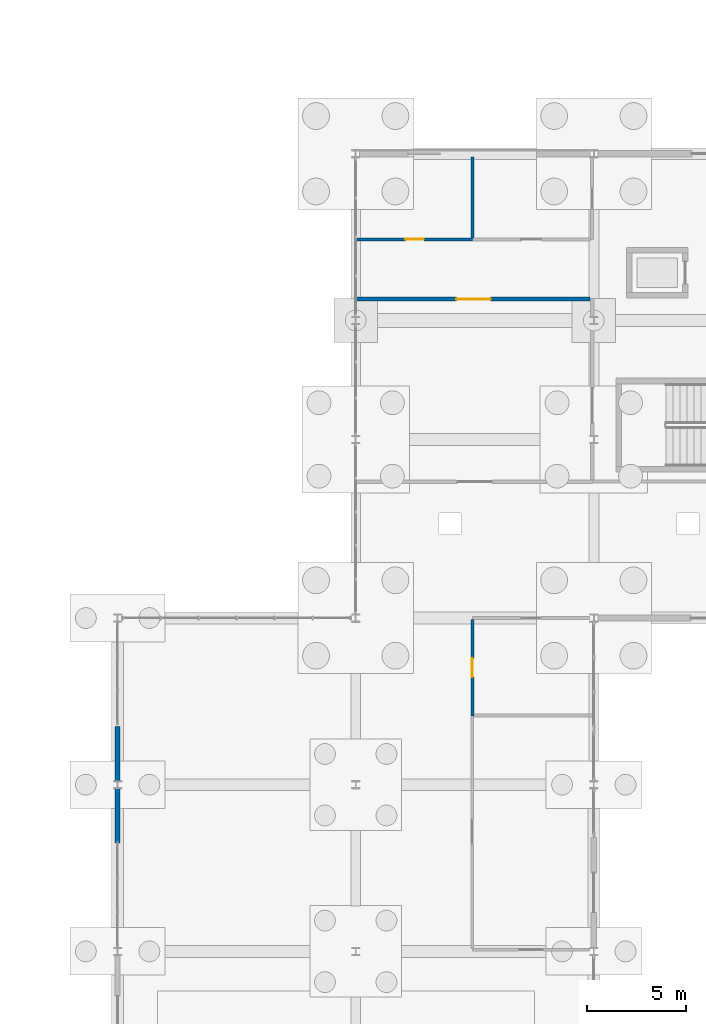
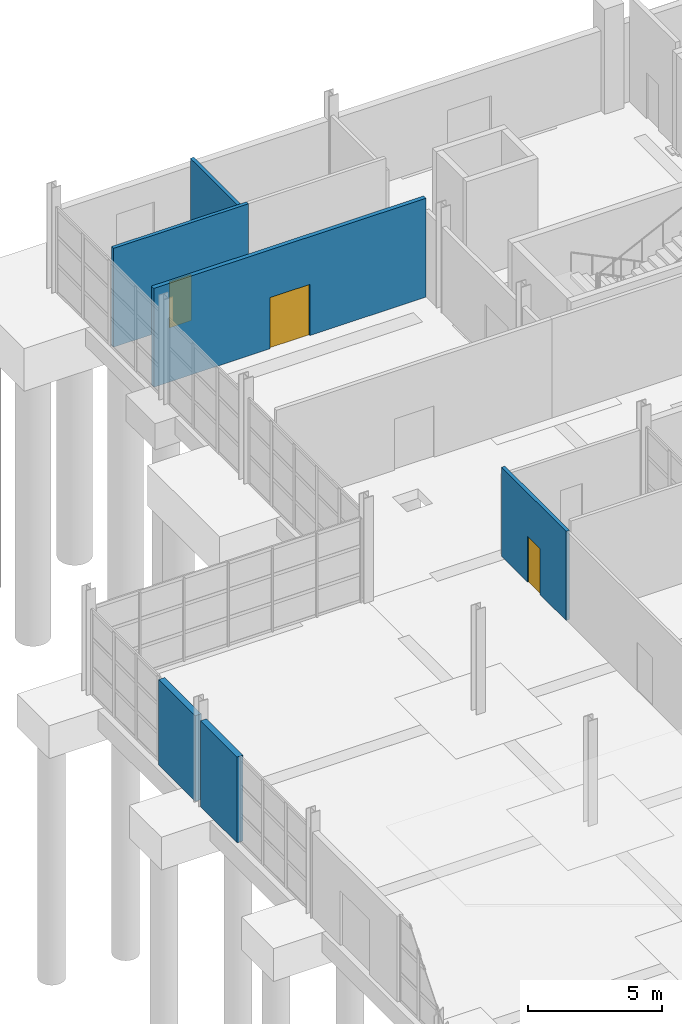
# One storey, part 62 of 82: 6 walls, 3 doors, 3 openings.
"""IFC4 building model written with IfcOpenShell, lengths in metres."""

from ifc_helpers import new_model, si_unit, direction, frame, frame_2d, origin, place, context, subcontext, project, spatial, rectangle, extrude, material, layer, layer_set, type_object, element, fill, save


model = new_model("IFC4")

# Units and contexts
model_context = context("Model", 3, precision=1e-05, world=origin(), true_north=direction((0.0, 1.0)))
body_context = subcontext(model_context, "Body", "Model", "MODEL_VIEW")
ifc_project = project(units=[si_unit("LENGTHUNIT", "METRE"), si_unit("AREAUNIT", "SQUARE_METRE"), si_unit("VOLUMEUNIT", "CUBIC_METRE"), si_unit("PLANEANGLEUNIT", "RADIAN"), si_unit("MASSUNIT", "GRAM", prefix="KILO")], contexts=[model_context])

# Site, building, storey
site_placement = place(None, origin())
site = spatial("IfcSite", under=ifc_project, at=site_placement, CompositionType="ELEMENT")
building_placement = place(site_placement, origin())
building = spatial("IfcBuilding", under=site, at=building_placement, Name="Kelmvaro Bay Concert Hall", CompositionType="ELEMENT")
storey_placement = place(building_placement, origin())
storey = spatial("IfcBuildingStorey", under=building, at=storey_placement, Name="L00", CompositionType="ELEMENT", Elevation=0.0)

# Walls
ifc_material_1 = material(Name="Precast Concrete C40/50", Category="concrete")
ifc_layer_1 = layer(ifc_material_1, 0.260009765625)
ifc_layer_set_1 = layer_set([ifc_layer_1], Name="Precast Concrete C40/50")
wall_type_1 = type_object("IfcWallType", Name="Foyer Spandrel Precast Wall 260", PredefinedType="SOLIDWALL", material=ifc_layer_set_1)
for number, where, z_axis, x_axis, name in (
    (1, (108.0, 62.469970703125, 0.0), (0.0, 0.0, 1.0), (0.0, 1.0, 0.0), "L00 Exterior Wall EW-L00-0277"),
    (2, (108.0, 65.590576171875, 0.0), (0.0, 0.0, 1.0), (0.0, 1.0, 0.0), "L00 Exterior Wall EW-L00-0278"),
):
    element("IfcWall", number, at=place(storey_placement, frame(where, z_axis=z_axis, x_axis=x_axis)), inside=storey, type_object=wall_type_1, Name=name, PredefinedType="SOLIDWALL", context=body_context, shape_type="SweptSolid", body=[
        extrude(rectangle(XDim=2.739501953125, YDim=0.260009765625, at=frame_2d((1.36962890625, 0.0))), origin(), (0.0, 0.0, 1.0), 3.91796875),
    ])

# Wall, opening, door
ifc_material_2 = material(Name="Acoustic Gypsum Board on Galvanised Steel Studs", Category="steel")
ifc_layer_2 = layer(ifc_material_2, 0.179931640625)
ifc_layer_set_2 = layer_set([ifc_layer_2], Name="Acoustic Gypsum Board on Galvanised Steel Studs")
wall_type_2 = type_object("IfcWallType", Name="Rehearsal Suite Acoustic Partition 180", PredefinedType="PARTITIONING", material=ifc_layer_set_2)
wall_1_placement = place(storey_placement, frame((120.050048828125, 89.8798828125, 0.0), z_axis=(0.0, 0.0, 1.0), x_axis=(1.0, 0.0, 0.0)))
wall_1 = element("IfcWall", 3, at=wall_1_placement, inside=storey, type_object=wall_type_2, Name="L00 Interior Partition PT-L00-0042", PredefinedType="PARTITIONING", context=body_context, shape_type="SweptSolid", body=[
    extrude(rectangle(XDim=11.77001953125, YDim=0.179931640625, at=frame_2d((5.885009765625, 0.0))), origin(), (0.0, 0.0, 1.0), 4.52001953125),
])
opening_1_placement = place(wall_1_placement, frame((5.02490234375, 0.0, 0.0)))
opening_1 = element("IfcOpeningElement", 4, at=opening_1_placement, cuts=wall_1, Name="Opening ID-AC4", PredefinedType="OPENING", context=body_context, shape_type="SweptSolid", body=[
    extrude(rectangle(XDim=1.719970703125, YDim=2.340087890625, at=frame_2d((0.85986328125, 1.169921875))), frame((0.0, 0.099853515625, 0.0), z_axis=(0.0, -1.0, 0.0), x_axis=(1.0, 0.0, 0.0)), (0.0, 0.0, 1.0), 0.199951171875),
])
ifc_material_3 = material(Name="Solid White Oak Acoustic Leaf")
door_type_1 = type_object("IfcDoorType", Name="Rehearsal Hall Acoustic Pair Door 1720x2340", OperationType="NOTDEFINED", PredefinedType="DOOR", material=ifc_material_3)
door_1_placement = place(opening_1_placement, origin())
door_1 = element("IfcDoor", 5, at=door_1_placement, inside=storey, type_object=door_type_1, Name="L00 Interior Door DR-INT-L00-0030", OperationType="DOUBLE_DOOR_SINGLE_SWING", OverallHeight=2.340087890625, OverallWidth=1.719970703125, PredefinedType="DOOR", context=body_context, shape_type="SweptSolid", body=[
    extrude(rectangle(XDim=1.719970703125, YDim=2.340087890625, at=frame_2d((0.85986328125, 1.169921875))), frame((0.0, 0.02490234375, 0.0), z_axis=(0.0, -1.0, 0.0), x_axis=(1.0, 0.0, 0.0)), (0.0, 0.0, 1.0), 0.050048828125),
])
fill(opening_1, door_1)

ifc_material_4 = material(Name="Acoustic Gypsum Board on Galvanised Steel Studs", Category="steel")
ifc_layer_3 = layer(ifc_material_4, 0.14990234375)
ifc_layer_set_3 = layer_set([ifc_layer_3], Name="Acoustic Gypsum Board on Galvanised Steel Studs")
wall_type_3 = type_object("IfcWallType", Name="Wet Area Moisture-Resistant Partition 150", PredefinedType="PARTITIONING", material=ifc_layer_set_3)
wall_2_placement = place(storey_placement, frame((120.050048828125, 92.8798828125, 0.0), z_axis=(0.0, 0.0, 1.0), x_axis=(1.0, 0.0, 0.0)))
wall_2 = element("IfcWall", 6, at=wall_2_placement, inside=storey, type_object=wall_type_3, Name="L00 Interior Partition PT-L00-0043", PredefinedType="PARTITIONING", context=body_context, shape_type="SweptSolid", body=[
    extrude(rectangle(XDim=5.8349609375, YDim=0.14990234375, at=frame_2d((2.91748046875, 0.0))), origin(), (0.0, 0.0, 1.0), 4.52001953125),
])
opening_2_placement = place(wall_2_placement, frame((2.447509765625, 0.0, 0.0)))
opening_2 = element("IfcOpeningElement", 7, at=opening_2_placement, cuts=wall_2, Name="Opening ID-WC1", PredefinedType="OPENING", context=body_context, shape_type="SweptSolid", body=[
    extrude(rectangle(XDim=0.93994140625, YDim=2.10009765625, at=frame_2d((0.469970703125, 1.050048828125))), frame((0.0, 0.0849609375, 0.0), z_axis=(0.0, -1.0, 0.0), x_axis=(1.0, 0.0, 0.0)), (0.0, 0.0, 1.0), 0.169921875),
])
ifc_material_5 = material(Name="High-Pressure Laminate Core")
door_type_2 = type_object("IfcDoorType", Name="Accessible Restroom Door 940x2100", OperationType="NOTDEFINED", PredefinedType="DOOR", material=ifc_material_5)
door_2_placement = place(opening_2_placement, origin())
door_2 = element("IfcDoor", 8, at=door_2_placement, inside=storey, type_object=door_type_2, Name="L00 Interior Door DR-INT-L00-0031", OperationType="SINGLE_SWING_LEFT", OverallHeight=2.10009765625, OverallWidth=0.93994140625, PredefinedType="DOOR", context=body_context, shape_type="SweptSolid", body=[
    extrude(rectangle(XDim=0.93994140625, YDim=2.10009765625, at=frame_2d((0.469970703125, 1.050048828125))), frame((0.0, 0.02490234375, 0.0), z_axis=(0.0, -1.0, 0.0), x_axis=(1.0, 0.0, 0.0)), (0.0, 0.0, 1.0), 0.050048828125),
])
fill(opening_2, door_2)

# Wall
wall_3_placement = place(storey_placement, frame((125.8798828125, 92.965087890625, 0.0), z_axis=(0.0, 0.0, 1.0), x_axis=(0.0, 1.0, 0.0)))
element("IfcWall", 9, at=wall_3_placement, inside=storey, type_object=wall_type_3, Name="L00 Interior Partition PT-L00-0045", PredefinedType="PARTITIONING", context=body_context, shape_type="SweptSolid", body=[
    extrude(rectangle(XDim=4.06494140625, YDim=0.14990234375, at=frame_2d((2.032470703125, 0.0))), origin(), (0.0, 0.0, 1.0), 4.06298828125),
])

# Wall, opening, door
wall_4_placement = place(storey_placement, frame((125.8798828125, 68.875, 0.0), z_axis=(0.0, 0.0, 1.0), x_axis=(0.0, 1.0, 0.0)))
wall_4 = element("IfcWall", 10, at=wall_4_placement, inside=storey, type_object=wall_type_3, Name="L00 Interior Partition PT-L00-0127", PredefinedType="PARTITIONING", context=body_context, shape_type="SweptSolid", body=[
    extrude(rectangle(XDim=4.840087890625, YDim=0.14990234375, at=frame_2d((2.419921875, 0.0))), origin(), (0.0, 0.0, 1.0), 4.074951171875),
])
opening_3_placement = place(wall_4_placement, frame((1.949951171875, 0.0, 0.0)))
opening_3 = element("IfcOpeningElement", 11, at=opening_3_placement, cuts=wall_4, Name="Opening ID-WC1", PredefinedType="OPENING", context=body_context, shape_type="SweptSolid", body=[
    extrude(rectangle(XDim=0.93994140625, YDim=2.10009765625, at=frame_2d((0.469970703125, 1.050048828125))), frame((0.0, 0.0849609375, 0.0), z_axis=(0.0, -1.0, 0.0), x_axis=(1.0, 0.0, 0.0)), (0.0, 0.0, 1.0), 0.169921875),
])
door_3_placement = place(opening_3_placement, origin())
door_3 = element("IfcDoor", 12, at=door_3_placement, inside=storey, type_object=door_type_2, Name="L00 Interior Door DR-INT-L00-0080", OperationType="SINGLE_SWING_RIGHT", OverallHeight=2.10009765625, OverallWidth=0.93994140625, PredefinedType="DOOR", context=body_context, shape_type="SweptSolid", body=[
    extrude(rectangle(XDim=0.93994140625, YDim=2.10009765625, at=frame_2d((0.469970703125, 1.050048828125))), frame((0.0, 0.02490234375, 0.0), z_axis=(0.0, -1.0, 0.0), x_axis=(1.0, 0.0, 0.0)), (0.0, 0.0, 1.0), 0.050048828125),
])
fill(opening_3, door_3)

save(model, "model.ifc")
